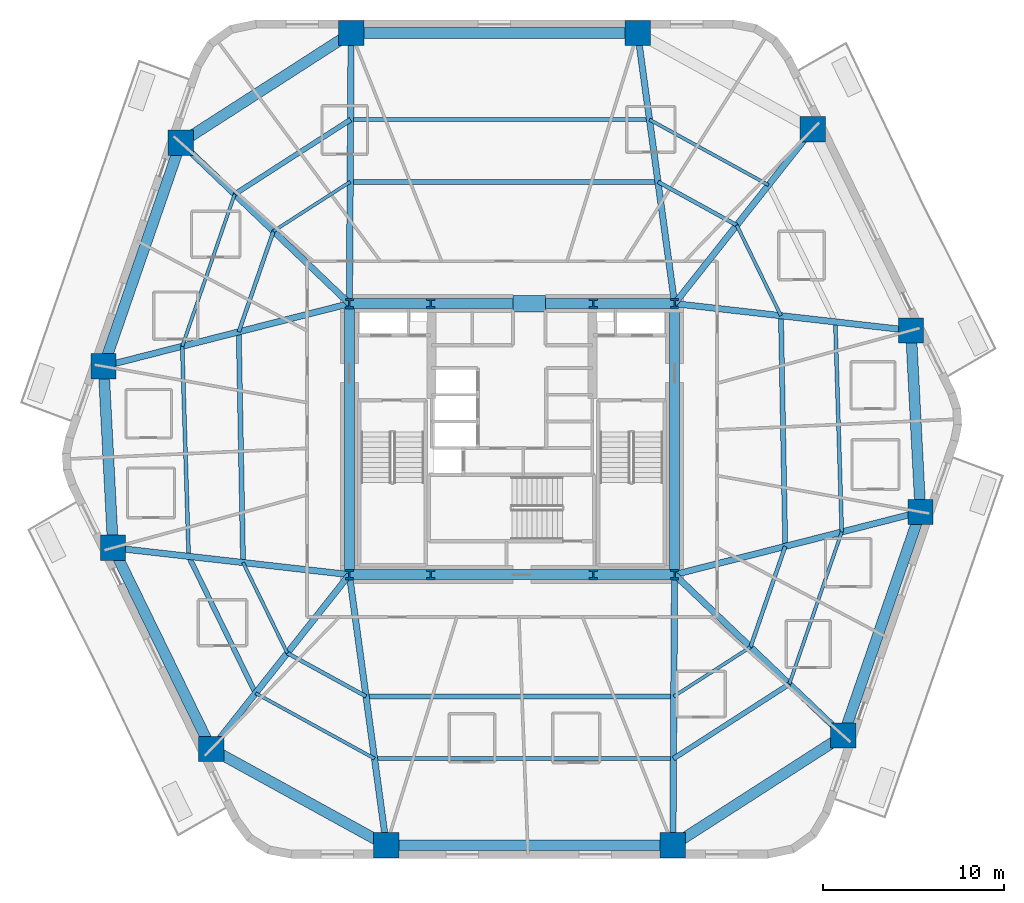
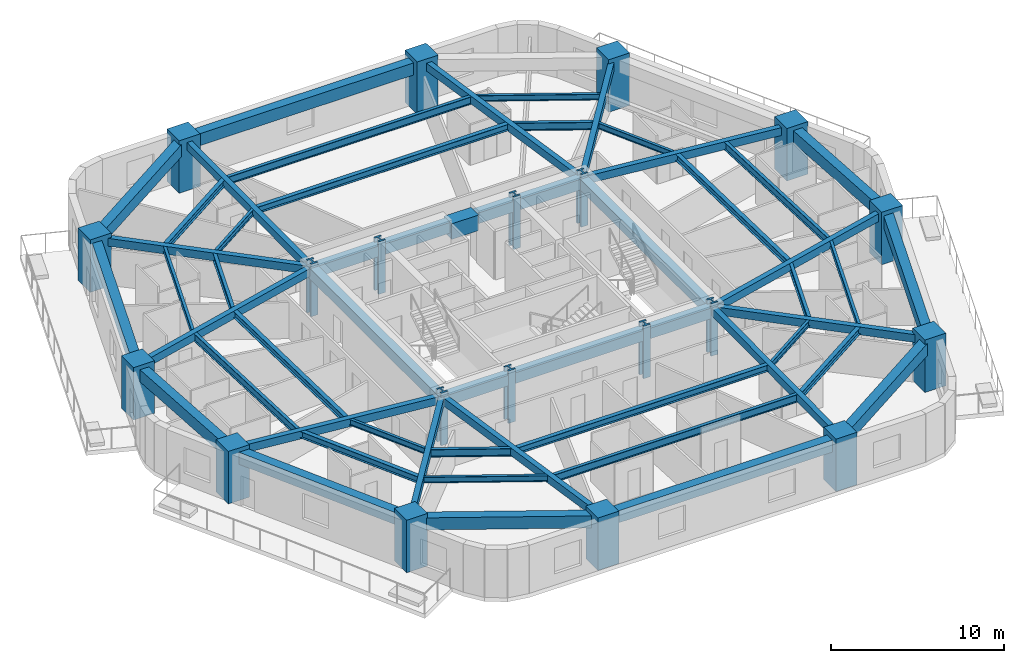
# One storey, part 1 of 10: 54 beams, 20 columns.
"""IFC4 building model written with IfcOpenShell, lengths in metres."""

from ifc_helpers import new_model, si_unit, direction, frame, origin, origin_2d, place, context, subcontext, project, spatial, rectangle, i_section, extrude, material, material_profile, profile_set, type_object, element, save


model = new_model("IFC4")

# Units and contexts
model_context = context("Model", 3, precision=1e-05, world=origin(), true_north=direction((0.0, 1.0)))
body_context = subcontext(model_context, "Body", "Model", "MODEL_VIEW")
ifc_project = project(units=[si_unit("LENGTHUNIT", "METRE"), si_unit("AREAUNIT", "SQUARE_METRE"), si_unit("VOLUMEUNIT", "CUBIC_METRE"), si_unit("PLANEANGLEUNIT", "RADIAN"), si_unit("MASSUNIT", "GRAM", prefix="KILO")], contexts=[model_context])

# Site, building, storey
site_placement = place(None, origin())
site = spatial("IfcSite", under=ifc_project, at=site_placement, CompositionType="ELEMENT")
building_placement = place(site_placement, origin())
building = spatial("IfcBuilding", under=site, at=building_placement, Name="Kilnhurst Terrace Hotel", CompositionType="ELEMENT")
storey_placement = place(building_placement, frame((0.0, 0.0, 52.699951171875)))
storey = spatial("IfcBuildingStorey", under=building, at=storey_placement, Name="L11", CompositionType="ELEMENT", Elevation=52.699951171875)

# Columns
ifc_material_1 = material(Name="Concrete C80/95", Category="concrete")
ifc_material_profile_1 = material_profile(ifc_material_1, rectangle(XDim=1.39990234375, YDim=1.39990234375, at=origin_2d()), Name="RC1400X1400")
ifc_profile_set_1 = profile_set([ifc_material_profile_1], Name="Concrete C80/95")
column_type_1 = type_object("IfcColumnType", Name="COL-RC-1400", PredefinedType="COLUMN", material=ifc_profile_set_1)
for number, where, z_axis, x_axis, name in (
    (1, (-6.955078125, -22.47998046875, 0.0), (0.0, 0.0, 1.0), (1.0, 0.0, 0.0), "L11 Structural Column PC-F11"),
    (2, (8.905029296875, -22.47998046875, 0.0), (0.0, 0.0, 1.0), (1.0, 0.0, 0.0), "L11 Structural Column PC-F12"),
    (3, (18.337890625, -16.410888671875, 0.0), (0.0, 0.0, 1.0), (1.0, 0.0, 0.0), "L11 Structural Column PC-F21"),
    (4, (22.60888671875, -4.029052734375, 0.0), (0.0, 0.0, 1.0), (1.0, 0.0, 0.0), "L11 Structural Column PC-F22"),
    (5, (22.083984375, 6.013916015625, 0.0), (0.0, 0.0, 1.0), (1.0, 0.0, 0.0), "L11 Structural Column PC-F31"),
    (6, (16.64306640625, 17.152099609375, 0.0), (0.0, 0.0, 1.0), (1.0, 0.0, 0.0), "L11 Structural Column PC-F32"),
    (7, (6.955078125, 22.47998046875, 0.0), (0.0, 0.0, 1.0), (1.0, 0.0, 0.0), "L11 Structural Column PC-F41"),
    (8, (-8.905029296875, 22.47998046875, 0.0), (0.0, 0.0, 1.0), (1.0, 0.0, 0.0), "L11 Structural Column PC-F42"),
    (9, (-18.337890625, 16.410888671875, 0.0), (0.0, 0.0, 1.0), (1.0, 0.0, 0.0), "L11 Structural Column PC-F51"),
    (10, (-22.60888671875, 4.029052734375, 0.0), (0.0, 0.0, 1.0), (1.0, 0.0, 0.0), "L11 Structural Column PC-F52"),
    (11, (-22.083984375, -6.013916015625, 0.0), (0.0, 0.0, 1.0), (1.0, 0.0, 0.0), "L11 Structural Column PC-F61"),
    (12, (-16.64306640625, -17.152099609375, 0.0), (0.0, 0.0, 1.0), (1.0, 0.0, 0.0), "L11 Structural Column PC-F62"),
):
    element("IfcColumn", number, at=place(storey_placement, frame(where, z_axis=z_axis, x_axis=x_axis)), inside=storey, type_object=column_type_1, Name=name, PredefinedType="COLUMN", context=body_context, shape_type="SweptSolid", body=[
        extrude(rectangle(XDim=1.39990234375, YDim=1.39990234375, at=origin_2d()), origin(), (0.0, 0.0, 1.0), 3.699951171875),
    ])
ifc_material_2 = material(Name="Steel ASTM A992 Grade 50", Category="steel")
ifc_material_profile_2 = material_profile(ifc_material_2, i_section(OverallWidth=0.454345703125, OverallDepth=0.569091796875, WebThickness=0.077880859375, FlangeThickness=0.124755859375, at=origin_2d()), Name="W14X730")
ifc_profile_set_2 = profile_set([ifc_material_profile_2], Name="Steel ASTM A992 Grade 50")
column_type_2 = type_object("IfcColumnType", Name="COL-STL-W14X730", PredefinedType="COLUMN", material=ifc_profile_set_2)
for number, where, z_axis, x_axis, name in (
    (13, (-9.0, -7.5, 0.0), (0.0, 0.0, 1.0), (1.0, 0.0, 0.0), "L11 Structural Column CC-SW"),
    (14, (-4.5, -7.5, 0.0), (0.0, 0.0, 1.0), (1.0, 0.0, 0.0), "L11 Structural Column CC-SC1"),
    (15, (4.5, -7.5, 0.0), (0.0, 0.0, 1.0), (1.0, 0.0, 0.0), "L11 Structural Column CC-SC2"),
    (16, (9.0, -7.5, 0.0), (0.0, 0.0, 1.0), (1.0, 0.0, 0.0), "L11 Structural Column CC-SE"),
    (17, (9.0, 7.5, 0.0), (0.0, 0.0, 1.0), (1.0, 0.0, 0.0), "L11 Structural Column CC-NE"),
    (18, (4.5, 7.5, 0.0), (0.0, 0.0, 1.0), (1.0, 0.0, 0.0), "L11 Structural Column CC-NC2"),
    (19, (-4.5, 7.5, 0.0), (0.0, 0.0, 1.0), (1.0, 0.0, 0.0), "L11 Structural Column CC-NC1"),
    (20, (-9.0, 7.5, 0.0), (0.0, 0.0, 1.0), (1.0, 0.0, 0.0), "L11 Structural Column CC-NW"),
):
    element("IfcColumn", number, at=place(storey_placement, frame(where, z_axis=z_axis, x_axis=x_axis)), inside=storey, type_object=column_type_2, Name=name, PredefinedType="COLUMN", context=body_context, shape_type="SweptSolid", body=[
        extrude(i_section(OverallWidth=0.454345703125, OverallDepth=0.569091796875, WebThickness=0.077880859375, FlangeThickness=0.124755859375, at=origin_2d()), origin(), (0.0, 0.0, 1.0), 3.699951171875),
    ])

# Beams
ifc_material_3 = material(Name="Concrete C50/60", Category="concrete")
ifc_material_profile_3 = material_profile(ifc_material_3, rectangle(XDim=0.35009765625, YDim=0.550048828125, at=origin_2d()), Name="RC350X550")
ifc_profile_set_3 = profile_set([ifc_material_profile_3], Name="Concrete C50/60")
beam_type_1 = type_object("IfcBeamType", Name="BM-RAD-350X550", PredefinedType="BEAM", material=ifc_profile_set_3)
beam_1_placement = place(storey_placement, frame((-9.0, -7.5, 3.125), z_axis=(0.13525588246, -0.990810701527, 0.0), x_axis=(0.990810701527, 0.13525588246, 0.0)))
element("IfcBeam", 21, at=beam_1_placement, inside=storey, type_object=beam_type_1, Name="L11 Radial Floor Beam 1", PredefinedType="BEAM", context=body_context, shape_type="SweptSolid", body=[
    extrude(rectangle(XDim=0.35009765625, YDim=0.550048828125, at=origin_2d()), origin(), (0.0, 0.0, 1.0), 15.118896484375),
])
beam_2_placement = place(storey_placement, frame((9.0, -7.5, 3.125), z_axis=(-0.006339714179, -0.99997990381, 0.0), x_axis=(0.99997990381, -0.006339714179, 0.0)))
element("IfcBeam", 22, at=beam_2_placement, inside=storey, type_object=beam_type_1, Name="L11 Radial Floor Beam 2", PredefinedType="BEAM", context=body_context, shape_type="SweptSolid", body=[
    extrude(rectangle(XDim=0.35009765625, YDim=0.550048828125, at=origin_2d()), origin(), (0.0, 0.0, 1.0), 14.980224609375),
])
beam_3_placement = place(storey_placement, frame((9.0, -7.5, 3.125), z_axis=(0.723454302813, -0.690372270403, 0.0), x_axis=(0.690372270403, 0.723454302813, 0.0)))
element("IfcBeam", 23, at=beam_3_placement, inside=storey, type_object=beam_type_1, Name="L11 Radial Floor Beam 3", PredefinedType="BEAM", context=body_context, shape_type="SweptSolid", body=[
    extrude(rectangle(XDim=0.35009765625, YDim=0.550048828125, at=origin_2d()), origin(), (0.0, 0.0, 1.0), 12.907470703125),
])
beam_4_placement = place(storey_placement, frame((9.0, -7.5, 3.125), z_axis=(0.968980179812, 0.247138445273, 0.0), x_axis=(-0.247138445273, 0.968980179812, 0.0)))
element("IfcBeam", 24, at=beam_4_placement, inside=storey, type_object=beam_type_1, Name="L11 Radial Floor Beam 4", PredefinedType="BEAM", context=body_context, shape_type="SweptSolid", body=[
    extrude(rectangle(XDim=0.35009765625, YDim=0.550048828125, at=origin_2d()), origin(), (0.0, 0.0, 1.0), 14.04443359375),
])
beam_5_placement = place(storey_placement, frame((9.0, 7.5, 3.125), z_axis=(0.993611493249, -0.112854776075, 0.0), x_axis=(0.112854776075, 0.993611493249, 0.0)))
element("IfcBeam", 25, at=beam_5_placement, inside=storey, type_object=beam_type_1, Name="L11 Radial Floor Beam 5", PredefinedType="BEAM", context=body_context, shape_type="SweptSolid", body=[
    extrude(rectangle(XDim=0.35009765625, YDim=0.550048828125, at=origin_2d()), origin(), (0.0, 0.0, 1.0), 13.168212890625),
])
beam_6_placement = place(storey_placement, frame((9.0, 7.5, 3.125), z_axis=(0.62079385707, 0.783973843329, 0.0), x_axis=(-0.783973843329, 0.62079385707, 0.0)))
element("IfcBeam", 26, at=beam_6_placement, inside=storey, type_object=beam_type_1, Name="L11 Radial Floor Beam 6", PredefinedType="BEAM", context=body_context, shape_type="SweptSolid", body=[
    extrude(rectangle(XDim=0.35009765625, YDim=0.550048828125, at=origin_2d()), origin(), (0.0, 0.0, 1.0), 12.311767578125),
])
beam_7_placement = place(storey_placement, frame((9.0, 7.5, 3.125), z_axis=(-0.13525588246, 0.990810701527, 0.0), x_axis=(-0.990810701527, -0.13525588246, 0.0)))
element("IfcBeam", 27, at=beam_7_placement, inside=storey, type_object=beam_type_1, Name="L11 Radial Floor Beam 7", PredefinedType="BEAM", context=body_context, shape_type="SweptSolid", body=[
    extrude(rectangle(XDim=0.35009765625, YDim=0.550048828125, at=origin_2d()), origin(), (0.0, 0.0, 1.0), 15.118896484375),
])
beam_8_placement = place(storey_placement, frame((-9.0, 7.5, 3.125), z_axis=(0.006339714179, 0.99997990381, 0.0), x_axis=(-0.99997990381, 0.006339714179, 0.0)))
element("IfcBeam", 28, at=beam_8_placement, inside=storey, type_object=beam_type_1, Name="L11 Radial Floor Beam 8", PredefinedType="BEAM", context=body_context, shape_type="SweptSolid", body=[
    extrude(rectangle(XDim=0.35009765625, YDim=0.550048828125, at=origin_2d()), origin(), (0.0, 0.0, 1.0), 14.980224609375),
])
beam_9_placement = place(storey_placement, frame((-9.0, 7.5, 3.125), z_axis=(-0.723454302813, 0.690372270403, 0.0), x_axis=(-0.690372270403, -0.723454302813, 0.0)))
element("IfcBeam", 29, at=beam_9_placement, inside=storey, type_object=beam_type_1, Name="L11 Radial Floor Beam 9", PredefinedType="BEAM", context=body_context, shape_type="SweptSolid", body=[
    extrude(rectangle(XDim=0.35009765625, YDim=0.550048828125, at=origin_2d()), origin(), (0.0, 0.0, 1.0), 12.907470703125),
])
beam_10_placement = place(storey_placement, frame((-9.0, 7.5, 3.125), z_axis=(-0.968980179812, -0.247138445273, 0.0), x_axis=(0.247138445273, -0.968980179812, 0.0)))
element("IfcBeam", 30, at=beam_10_placement, inside=storey, type_object=beam_type_1, Name="L11 Radial Floor Beam 10", PredefinedType="BEAM", context=body_context, shape_type="SweptSolid", body=[
    extrude(rectangle(XDim=0.35009765625, YDim=0.550048828125, at=origin_2d()), origin(), (0.0, 0.0, 1.0), 14.04443359375),
])
beam_11_placement = place(storey_placement, frame((-9.0, -7.5, 3.125), z_axis=(-0.993611493249, 0.112854776075, 0.0), x_axis=(-0.112854776075, -0.993611493249, 0.0)))
element("IfcBeam", 31, at=beam_11_placement, inside=storey, type_object=beam_type_1, Name="L11 Radial Floor Beam 11", PredefinedType="BEAM", context=body_context, shape_type="SweptSolid", body=[
    extrude(rectangle(XDim=0.35009765625, YDim=0.550048828125, at=origin_2d()), origin(), (0.0, 0.0, 1.0), 13.168212890625),
])
beam_12_placement = place(storey_placement, frame((-9.0, -7.5, 3.125), z_axis=(-0.62079385707, -0.783973843329, 0.0), x_axis=(0.783973843329, -0.62079385707, 0.0)))
element("IfcBeam", 32, at=beam_12_placement, inside=storey, type_object=beam_type_1, Name="L11 Radial Floor Beam 12", PredefinedType="BEAM", context=body_context, shape_type="SweptSolid", body=[
    extrude(rectangle(XDim=0.35009765625, YDim=0.550048828125, at=origin_2d()), origin(), (0.0, 0.0, 1.0), 12.311767578125),
])
ifc_material_profile_4 = material_profile(ifc_material_3, rectangle(XDim=0.550048828125, YDim=0.75, at=origin_2d()), Name="RC550X750")
ifc_profile_set_4 = profile_set([ifc_material_profile_4], Name="Concrete C50/60")
beam_type_2 = type_object("IfcBeamType", Name="BM-SPN-550X750", PredefinedType="SPANDREL", material=ifc_profile_set_4)
beam_13_placement = place(storey_placement, frame((-9.0, 7.5, 3.025146484375), z_axis=(1.0, 0.0, 0.0), x_axis=(0.0, 1.0, 0.0)))
element("IfcBeam", 33, at=beam_13_placement, inside=storey, type_object=beam_type_2, Name="L11 Core Tie Beam CC-NW to CC-NC1", PredefinedType="SPANDREL", context=body_context, shape_type="SweptSolid", body=[
    extrude(rectangle(XDim=0.550048828125, YDim=0.75, at=origin_2d()), origin(), (0.0, 0.0, 1.0), 4.5),
])
beam_14_placement = place(storey_placement, frame((-4.5, 7.5, 3.025146484375), z_axis=(1.0, 0.0, 0.0), x_axis=(0.0, 1.0, 0.0)))
element("IfcBeam", 34, at=beam_14_placement, inside=storey, type_object=beam_type_2, Name="L11 Core Tie Beam CC-NC1 to CC-NC2", PredefinedType="SPANDREL", context=body_context, shape_type="SweptSolid", body=[
    extrude(rectangle(XDim=0.550048828125, YDim=0.75, at=origin_2d()), origin(), (0.0, 0.0, 1.0), 9.0),
])
for number, where, z_axis, x_axis, name in (
    (35, (4.5, 7.5, 3.025146484375), (1.0, 0.0, 0.0), (0.0, 1.0, 0.0), "L11 Core Tie Beam CC-NC2 to CC-NE"),
    (36, (-9.0, -7.5, 3.025146484375), (1.0, 0.0, 0.0), (0.0, 1.0, 0.0), "L11 Core Tie Beam CC-SW to CC-SC1"),
):
    element("IfcBeam", number, at=place(storey_placement, frame(where, z_axis=z_axis, x_axis=x_axis)), inside=storey, type_object=beam_type_2, Name=name, PredefinedType="SPANDREL", context=body_context, shape_type="SweptSolid", body=[
        extrude(rectangle(XDim=0.550048828125, YDim=0.75, at=origin_2d()), origin(), (0.0, 0.0, 1.0), 4.5),
    ])
beam_15_placement = place(storey_placement, frame((-4.5, -7.5, 3.025146484375), z_axis=(1.0, 0.0, 0.0), x_axis=(0.0, 1.0, 0.0)))
element("IfcBeam", 37, at=beam_15_placement, inside=storey, type_object=beam_type_2, Name="L11 Core Tie Beam CC-SC1 to CC-SC2", PredefinedType="SPANDREL", context=body_context, shape_type="SweptSolid", body=[
    extrude(rectangle(XDim=0.550048828125, YDim=0.75, at=origin_2d()), origin(), (0.0, 0.0, 1.0), 9.0),
])
beam_16_placement = place(storey_placement, frame((4.5, -7.5, 3.025146484375), z_axis=(1.0, 0.0, 0.0), x_axis=(0.0, 1.0, 0.0)))
element("IfcBeam", 38, at=beam_16_placement, inside=storey, type_object=beam_type_2, Name="L11 Core Tie Beam CC-SC2 to CC-SE", PredefinedType="SPANDREL", context=body_context, shape_type="SweptSolid", body=[
    extrude(rectangle(XDim=0.550048828125, YDim=0.75, at=origin_2d()), origin(), (0.0, 0.0, 1.0), 4.5),
])
for number, where, z_axis, x_axis, name in (
    (39, (-9.0, -7.5, 3.025146484375), (0.0, 1.0, 0.0), (-1.0, 0.0, 0.0), "L11 Core Tie Beam CC-SW to CC-NW"),
    (40, (9.0, -7.5, 3.025146484375), (0.0, 1.0, 0.0), (-1.0, 0.0, 0.0), "L11 Core Tie Beam CC-SE to CC-NE"),
):
    element("IfcBeam", number, at=place(storey_placement, frame(where, z_axis=z_axis, x_axis=x_axis)), inside=storey, type_object=beam_type_2, Name=name, PredefinedType="SPANDREL", context=body_context, shape_type="SweptSolid", body=[
        extrude(rectangle(XDim=0.550048828125, YDim=0.75, at=origin_2d()), origin(), (0.0, 0.0, 1.0), 15.0),
    ])
ifc_material_profile_5 = material_profile(ifc_material_3, rectangle(XDim=0.60009765625, YDim=0.85009765625, at=origin_2d()), Name="RC600X850")
ifc_profile_set_5 = profile_set([ifc_material_profile_5], Name="Concrete C50/60")
beam_type_3 = type_object("IfcBeamType", Name="BM-SPN-600X850", PredefinedType="SPANDREL", material=ifc_profile_set_5)
beam_17_placement = place(storey_placement, frame((-6.955078125, -22.47998046875, 2.97509765625), z_axis=(1.0, 0.0, 0.0), x_axis=(0.0, 1.0, 0.0)))
element("IfcBeam", 41, at=beam_17_placement, inside=storey, type_object=beam_type_3, Name="L11 Perimeter Spandrel Beam 1", PredefinedType="SPANDREL", context=body_context, shape_type="SweptSolid", body=[
    extrude(rectangle(XDim=0.60009765625, YDim=0.85009765625, at=origin_2d()), origin(), (0.0, 0.0, 1.0), 15.860107421875),
])
beam_18_placement = place(storey_placement, frame((8.905029296875, -22.47998046875, 2.97509765625), z_axis=(0.840971204873, 0.541079876335, 0.0), x_axis=(-0.541079876335, 0.840971204873, 0.0)))
element("IfcBeam", 42, at=beam_18_placement, inside=storey, type_object=beam_type_3, Name="L11 Perimeter Spandrel Beam 2", PredefinedType="SPANDREL", context=body_context, shape_type="SweptSolid", body=[
    extrude(rectangle(XDim=0.60009765625, YDim=0.85009765625, at=origin_2d()), origin(), (0.0, 0.0, 1.0), 11.216552734375),
])
beam_19_placement = place(storey_placement, frame((18.337890625, -16.410888671875, 2.97509765625), z_axis=(0.326086040191, 0.945340094565, 0.0), x_axis=(-0.945340094565, 0.326086040191, 0.0)))
element("IfcBeam", 43, at=beam_19_placement, inside=storey, type_object=beam_type_3, Name="L11 Perimeter Spandrel Beam 3", PredefinedType="SPANDREL", context=body_context, shape_type="SweptSolid", body=[
    extrude(rectangle(XDim=0.60009765625, YDim=0.85009765625, at=origin_2d()), origin(), (0.0, 0.0, 1.0), 13.09765625),
])
beam_20_placement = place(storey_placement, frame((22.60888671875, -4.029052734375, 2.97509765625), z_axis=(-0.052194414298, 0.998636942595, 0.0), x_axis=(-0.998636942595, -0.052194414298, 0.0)))
element("IfcBeam", 44, at=beam_20_placement, inside=storey, type_object=beam_type_3, Name="L11 Perimeter Spandrel Beam 4", PredefinedType="SPANDREL", context=body_context, shape_type="SweptSolid", body=[
    extrude(rectangle(XDim=0.60009765625, YDim=0.85009765625, at=origin_2d()), origin(), (0.0, 0.0, 1.0), 10.056640625),
])
beam_21_placement = place(storey_placement, frame((6.955078125, 22.47998046875, 2.97509765625), z_axis=(-1.0, 0.0, 0.0), x_axis=(0.0, -1.0, 0.0)))
element("IfcBeam", 45, at=beam_21_placement, inside=storey, type_object=beam_type_3, Name="L11 Perimeter Spandrel Beam 7", PredefinedType="SPANDREL", context=body_context, shape_type="SweptSolid", body=[
    extrude(rectangle(XDim=0.60009765625, YDim=0.85009765625, at=origin_2d()), origin(), (0.0, 0.0, 1.0), 15.860107421875),
])
beam_22_placement = place(storey_placement, frame((-8.905029296875, 22.47998046875, 2.97509765625), z_axis=(-0.840971204873, -0.541079876335, 0.0), x_axis=(0.541079876335, -0.840971204873, 0.0)))
element("IfcBeam", 46, at=beam_22_placement, inside=storey, type_object=beam_type_3, Name="L11 Perimeter Spandrel Beam 8", PredefinedType="SPANDREL", context=body_context, shape_type="SweptSolid", body=[
    extrude(rectangle(XDim=0.60009765625, YDim=0.85009765625, at=origin_2d()), origin(), (0.0, 0.0, 1.0), 11.216552734375),
])
beam_23_placement = place(storey_placement, frame((-18.337890625, 16.410888671875, 2.97509765625), z_axis=(-0.326086040191, -0.945340094565, 0.0), x_axis=(0.945340094565, -0.326086040191, 0.0)))
element("IfcBeam", 47, at=beam_23_placement, inside=storey, type_object=beam_type_3, Name="L11 Perimeter Spandrel Beam 9", PredefinedType="SPANDREL", context=body_context, shape_type="SweptSolid", body=[
    extrude(rectangle(XDim=0.60009765625, YDim=0.85009765625, at=origin_2d()), origin(), (0.0, 0.0, 1.0), 13.09765625),
])
beam_24_placement = place(storey_placement, frame((-22.60888671875, 4.029052734375, 2.97509765625), z_axis=(0.052194414298, -0.998636942595, 0.0), x_axis=(0.998636942595, 0.052194414298, 0.0)))
element("IfcBeam", 48, at=beam_24_placement, inside=storey, type_object=beam_type_3, Name="L11 Perimeter Spandrel Beam 10", PredefinedType="SPANDREL", context=body_context, shape_type="SweptSolid", body=[
    extrude(rectangle(XDim=0.60009765625, YDim=0.85009765625, at=origin_2d()), origin(), (0.0, 0.0, 1.0), 10.056640625),
])
beam_25_placement = place(storey_placement, frame((-22.083984375, -6.013916015625, 2.97509765625), z_axis=(0.438922573627, -0.898524888003, 0.0), x_axis=(0.898524888003, 0.438922573627, 0.0)))
element("IfcBeam", 49, at=beam_25_placement, inside=storey, type_object=beam_type_3, Name="L11 Perimeter Spandrel Beam 11", PredefinedType="SPANDREL", context=body_context, shape_type="SweptSolid", body=[
    extrude(rectangle(XDim=0.60009765625, YDim=0.85009765625, at=origin_2d()), origin(), (0.0, 0.0, 1.0), 12.39599609375),
])
beam_26_placement = place(storey_placement, frame((-16.64306640625, -17.152099609375, 2.97509765625), z_axis=(0.876235488803, -0.481883147829, 0.0), x_axis=(0.481883147829, 0.876235488803, 0.0)))
element("IfcBeam", 50, at=beam_26_placement, inside=storey, type_object=beam_type_3, Name="L11 Perimeter Spandrel Beam 12", PredefinedType="SPANDREL", context=body_context, shape_type="SweptSolid", body=[
    extrude(rectangle(XDim=0.60009765625, YDim=0.85009765625, at=origin_2d()), origin(), (0.0, 0.0, 1.0), 11.056396484375),
])
ifc_material_profile_6 = material_profile(ifc_material_2, i_section(OverallWidth=0.180908203125, OverallDepth=0.417236328125, WebThickness=0.010986328125, FlangeThickness=0.018310546875, at=origin_2d()), Name="W16X57")
ifc_profile_set_6 = profile_set([ifc_material_profile_6], Name="Steel ASTM A992 Grade 50")
beam_type_4 = type_object("IfcBeamType", Name="JST-STL-W16X57", PredefinedType="JOIST", material=ifc_profile_set_6)
beam_27_placement = place(storey_placement, frame((15.349853515625, -13.5595703125, 3.191162109375), z_axis=(0.326078536201, 0.945342682961, 0.0), x_axis=(-0.945342682961, 0.326078536201, 0.0)))
element("IfcBeam", 51, at=beam_27_placement, inside=storey, type_object=beam_type_4, Name="L11 Secondary Floor Steel Joist OUT.3", PredefinedType="JOIST", context=body_context, shape_type="SweptSolid", body=[
    extrude(i_section(OverallWidth=0.180908203125, OverallDepth=0.417236328125, WebThickness=0.010986328125, FlangeThickness=0.018310546875, at=origin_2d()), origin(), (0.0, 0.0, 1.0), 8.90673828125),
])
beam_28_placement = place(storey_placement, frame((14.197265625, 14.0634765625, 3.191162109375), z_axis=(-0.876246073632, 0.481863900334, 0.0), x_axis=(-0.481863900334, -0.876246073632, 0.0)))
element("IfcBeam", 52, at=beam_28_placement, inside=storey, type_object=beam_type_4, Name="L11 Secondary Floor Steel Joist OUT.6", PredefinedType="JOIST", context=body_context, shape_type="SweptSolid", body=[
    extrude(i_section(OverallWidth=0.180908203125, OverallDepth=0.417236328125, WebThickness=0.010986328125, FlangeThickness=0.018310546875, at=origin_2d()), origin(), (0.0, 0.0, 1.0), 7.518310546875),
])
beam_29_placement = place(storey_placement, frame((-15.349853515625, 13.5595703125, 3.191162109375), z_axis=(-0.326078536201, -0.945342682961, 0.0), x_axis=(0.945342682961, -0.326078536201, 0.0)))
element("IfcBeam", 53, at=beam_29_placement, inside=storey, type_object=beam_type_4, Name="L11 Secondary Floor Steel Joist OUT.9", PredefinedType="JOIST", context=body_context, shape_type="SweptSolid", body=[
    extrude(i_section(OverallWidth=0.180908203125, OverallDepth=0.417236328125, WebThickness=0.010986328125, FlangeThickness=0.018310546875, at=origin_2d()), origin(), (0.0, 0.0, 1.0), 8.90673828125),
])
beam_30_placement = place(storey_placement, frame((-14.197265625, -14.0634765625, 3.191162109375), z_axis=(0.876246073632, -0.481863900334, 0.0), x_axis=(0.481863900334, 0.876246073632, 0.0)))
element("IfcBeam", 54, at=beam_30_placement, inside=storey, type_object=beam_type_4, Name="L11 Secondary Floor Steel Joist OUT.12", PredefinedType="JOIST", context=body_context, shape_type="SweptSolid", body=[
    extrude(i_section(OverallWidth=0.180908203125, OverallDepth=0.417236328125, WebThickness=0.010986328125, FlangeThickness=0.018310546875, at=origin_2d()), origin(), (0.0, 0.0, 1.0), 7.518310546875),
])
beam_31_placement = place(storey_placement, frame((8.957275390625, -14.240966796875, 3.191162109375), z_axis=(0.840988265896, 0.541053358389, 0.0), x_axis=(-0.541053358389, 0.840988265896, 0.0)))
element("IfcBeam", 55, at=beam_31_placement, inside=storey, type_object=beam_type_4, Name="L11 Secondary Floor Steel Joist IN.2", PredefinedType="JOIST", context=body_context, shape_type="SweptSolid", body=[
    extrude(i_section(OverallWidth=0.180908203125, OverallDepth=0.417236328125, WebThickness=0.010986328125, FlangeThickness=0.018310546875, at=origin_2d()), origin(), (0.0, 0.0, 1.0), 5.04736328125),
])
beam_32_placement = place(storey_placement, frame((14.8876953125, 6.831298828125, 3.191162109375), z_axis=(-0.438896112695, 0.898537813484, 0.0), x_axis=(-0.898537813484, -0.438896112695, 0.0)))
element("IfcBeam", 56, at=beam_32_placement, inside=storey, type_object=beam_type_4, Name="L11 Secondary Floor Steel Joist IN.5", PredefinedType="JOIST", context=body_context, shape_type="SweptSolid", body=[
    extrude(i_section(OverallWidth=0.180908203125, OverallDepth=0.417236328125, WebThickness=0.010986328125, FlangeThickness=0.018310546875, at=origin_2d()), origin(), (0.0, 0.0, 1.0), 5.578125),
])
beam_33_placement = place(storey_placement, frame((-8.957275390625, 14.240966796875, 3.191162109375), z_axis=(-0.840988265896, -0.541053358389, 0.0), x_axis=(0.541053358389, -0.840988265896, 0.0)))
element("IfcBeam", 57, at=beam_33_placement, inside=storey, type_object=beam_type_4, Name="L11 Secondary Floor Steel Joist IN.8", PredefinedType="JOIST", context=body_context, shape_type="SweptSolid", body=[
    extrude(i_section(OverallWidth=0.180908203125, OverallDepth=0.417236328125, WebThickness=0.010986328125, FlangeThickness=0.018310546875, at=origin_2d()), origin(), (0.0, 0.0, 1.0), 5.04736328125),
])
beam_34_placement = place(storey_placement, frame((-14.8876953125, -6.831298828125, 3.191162109375), z_axis=(0.438896112695, -0.898537813484, 0.0), x_axis=(0.898537813484, 0.438896112695, 0.0)))
element("IfcBeam", 58, at=beam_34_placement, inside=storey, type_object=beam_type_4, Name="L11 Secondary Floor Steel Joist IN.11", PredefinedType="JOIST", context=body_context, shape_type="SweptSolid", body=[
    extrude(i_section(OverallWidth=0.180908203125, OverallDepth=0.417236328125, WebThickness=0.010986328125, FlangeThickness=0.018310546875, at=origin_2d()), origin(), (0.0, 0.0, 1.0), 5.578125),
])
ifc_material_profile_7 = material_profile(ifc_material_2, i_section(OverallWidth=0.279296875, OverallDepth=0.462890625, WebThickness=0.0107421875, FlangeThickness=0.017333984375, at=origin_2d()), Name="W18X76")
ifc_profile_set_7 = profile_set([ifc_material_profile_7], Name="Steel ASTM A992 Grade 50")
beam_type_5 = type_object("IfcBeamType", Name="JST-STL-W18X76", PredefinedType="JOIST", material=ifc_profile_set_7)
for number, where, z_axis, x_axis, name in (
    (59, (8.935302734375, -17.686279296875, 3.16796875), (0.840995388529, 0.54104228714, 0.0), (-0.54104228714, 0.840995388529, 0.0), "L11 Secondary Floor Steel Joist OUT.2"),
    (60, (-8.935302734375, 17.686279296875, 3.16796875), (-0.840995388529, -0.54104228714, 0.0), (0.54104228714, -0.840995388529, 0.0), "L11 Secondary Floor Steel Joist OUT.8"),
):
    element("IfcBeam", number, at=place(storey_placement, frame(where, z_axis=z_axis, x_axis=x_axis)), inside=storey, type_object=beam_type_5, Name=name, PredefinedType="JOIST", context=body_context, shape_type="SweptSolid", body=[
        extrude(i_section(OverallWidth=0.279296875, OverallDepth=0.462890625, WebThickness=0.0107421875, FlangeThickness=0.017333984375, at=origin_2d()), origin(), (0.0, 0.0, 1.0), 7.62744140625),
    ])
beam_35_placement = place(storey_placement, frame((-17.897216796875, -6.489501953125, 3.16796875), z_axis=(0.438934275949, -0.898519171413, 0.0), x_axis=(0.898519171413, 0.438934275949, 0.0)))
element("IfcBeam", 61, at=beam_35_placement, inside=storey, type_object=beam_type_5, Name="L11 Secondary Floor Steel Joist OUT.11", PredefinedType="JOIST", context=body_context, shape_type="SweptSolid", body=[
    extrude(i_section(OverallWidth=0.279296875, OverallDepth=0.462890625, WebThickness=0.0107421875, FlangeThickness=0.017333984375, at=origin_2d()), origin(), (0.0, 0.0, 1.0), 8.429443359375),
])
beam_36_placement = place(storey_placement, frame((-8.079833984375, -14.240966796875, 3.16796875), z_axis=(1.0, 0.0, 0.0), x_axis=(0.0, 1.0, 0.0)))
element("IfcBeam", 62, at=beam_36_placement, inside=storey, type_object=beam_type_5, Name="L11 Secondary Floor Steel Joist IN.1", PredefinedType="JOIST", context=body_context, shape_type="SweptSolid", body=[
    extrude(i_section(OverallWidth=0.279296875, OverallDepth=0.462890625, WebThickness=0.0107421875, FlangeThickness=0.017333984375, at=origin_2d()), origin(), (0.0, 0.0, 1.0), 17.037109375),
])
beam_37_placement = place(storey_placement, frame((15.1240234375, -5.93798828125, 3.16796875), z_axis=(-0.018504373716, 0.999828779418, 0.0), x_axis=(-0.999828779418, -0.018504373716, 0.0)))
element("IfcBeam", 63, at=beam_37_placement, inside=storey, type_object=beam_type_5, Name="L11 Secondary Floor Steel Joist IN.4", PredefinedType="JOIST", context=body_context, shape_type="SweptSolid", body=[
    extrude(i_section(OverallWidth=0.279296875, OverallDepth=0.462890625, WebThickness=0.0107421875, FlangeThickness=0.017333984375, at=origin_2d()), origin(), (0.0, 0.0, 1.0), 12.771484375),
])
beam_38_placement = place(storey_placement, frame((8.079833984375, 14.240966796875, 3.16796875), z_axis=(-1.0, 0.0, 0.0), x_axis=(0.0, -1.0, 0.0)))
element("IfcBeam", 64, at=beam_38_placement, inside=storey, type_object=beam_type_5, Name="L11 Secondary Floor Steel Joist IN.7", PredefinedType="JOIST", context=body_context, shape_type="SweptSolid", body=[
    extrude(i_section(OverallWidth=0.279296875, OverallDepth=0.462890625, WebThickness=0.0107421875, FlangeThickness=0.017333984375, at=origin_2d()), origin(), (0.0, 0.0, 1.0), 17.037109375),
])
beam_39_placement = place(storey_placement, frame((-15.1240234375, 5.93798828125, 3.16796875), z_axis=(0.018504373716, -0.999828779418, 0.0), x_axis=(0.999828779418, 0.018504373716, 0.0)))
element("IfcBeam", 65, at=beam_39_placement, inside=storey, type_object=beam_type_5, Name="L11 Secondary Floor Steel Joist IN.10", PredefinedType="JOIST", context=body_context, shape_type="SweptSolid", body=[
    extrude(i_section(OverallWidth=0.279296875, OverallDepth=0.462890625, WebThickness=0.0107421875, FlangeThickness=0.017333984375, at=origin_2d()), origin(), (0.0, 0.0, 1.0), 12.771484375),
])
ifc_material_profile_8 = material_profile(ifc_material_2, i_section(OverallWidth=0.2138671875, OverallDepth=0.549072265625, WebThickness=0.0146484375, FlangeThickness=0.023681640625, at=origin_2d()), Name="W21X93")
ifc_profile_set_8 = profile_set([ifc_material_profile_8], Name="Steel ASTM A992 Grade 50")
beam_type_6 = type_object("IfcBeamType", Name="JST-STL-W21X93", PredefinedType="JOIST", material=ifc_profile_set_8)
beam_40_placement = place(storey_placement, frame((-7.609375, -17.686279296875, 3.125), z_axis=(1.0, 0.0, 0.0), x_axis=(0.0, 1.0, 0.0)))
element("IfcBeam", 66, at=beam_40_placement, inside=storey, type_object=beam_type_6, Name="L11 Secondary Floor Steel Joist OUT.1", PredefinedType="JOIST", context=body_context, shape_type="SweptSolid", body=[
    extrude(i_section(OverallWidth=0.2138671875, OverallDepth=0.549072265625, WebThickness=0.0146484375, FlangeThickness=0.023681640625, at=origin_2d()), origin(), (0.0, 0.0, 1.0), 16.544677734375),
])
beam_41_placement = place(storey_placement, frame((18.254150390625, -5.1396484375, 3.125), z_axis=(-0.030678559818, 0.999529302206, 0.0), x_axis=(-0.999529302206, -0.030678559818, 0.0)))
element("IfcBeam", 67, at=beam_41_placement, inside=storey, type_object=beam_type_6, Name="L11 Secondary Floor Steel Joist OUT.4", PredefinedType="JOIST", context=body_context, shape_type="SweptSolid", body=[
    extrude(i_section(OverallWidth=0.2138671875, OverallDepth=0.549072265625, WebThickness=0.0146484375, FlangeThickness=0.023681640625, at=origin_2d()), origin(), (0.0, 0.0, 1.0), 11.634521484375),
])
beam_42_placement = place(storey_placement, frame((7.609375, 17.686279296875, 3.125), z_axis=(-1.0, 0.0, 0.0), x_axis=(0.0, -1.0, 0.0)))
element("IfcBeam", 68, at=beam_42_placement, inside=storey, type_object=beam_type_6, Name="L11 Secondary Floor Steel Joist OUT.7", PredefinedType="JOIST", context=body_context, shape_type="SweptSolid", body=[
    extrude(i_section(OverallWidth=0.2138671875, OverallDepth=0.549072265625, WebThickness=0.0146484375, FlangeThickness=0.023681640625, at=origin_2d()), origin(), (0.0, 0.0, 1.0), 16.544677734375),
])
beam_43_placement = place(storey_placement, frame((-18.254150390625, 5.1396484375, 3.125), z_axis=(0.030678559818, -0.999529302206, 0.0), x_axis=(0.999529302206, 0.030678559818, 0.0)))
element("IfcBeam", 69, at=beam_43_placement, inside=storey, type_object=beam_type_6, Name="L11 Secondary Floor Steel Joist OUT.10", PredefinedType="JOIST", context=body_context, shape_type="SweptSolid", body=[
    extrude(i_section(OverallWidth=0.2138671875, OverallDepth=0.549072265625, WebThickness=0.0146484375, FlangeThickness=0.023681640625, at=origin_2d()), origin(), (0.0, 0.0, 1.0), 11.634521484375),
])
beam_44_placement = place(storey_placement, frame((13.2021484375, -11.510009765625, 3.125), z_axis=(0.326064720391, 0.945347448358, 0.0), x_axis=(-0.945347448358, 0.326064720391, 0.0)))
element("IfcBeam", 70, at=beam_44_placement, inside=storey, type_object=beam_type_6, Name="L11 Secondary Floor Steel Joist IN.3", PredefinedType="JOIST", context=body_context, shape_type="SweptSolid", body=[
    extrude(i_section(OverallWidth=0.2138671875, OverallDepth=0.549072265625, WebThickness=0.0146484375, FlangeThickness=0.023681640625, at=origin_2d()), origin(), (0.0, 0.0, 1.0), 5.89404296875),
])
beam_45_placement = place(storey_placement, frame((12.439453125, 11.843505859375, 3.125), z_axis=(-0.876243879955, 0.481867889408, 0.0), x_axis=(-0.481867889408, -0.876243879955, 0.0)))
element("IfcBeam", 71, at=beam_45_placement, inside=storey, type_object=beam_type_6, Name="L11 Secondary Floor Steel Joist IN.6", PredefinedType="JOIST", context=body_context, shape_type="SweptSolid", body=[
    extrude(i_section(OverallWidth=0.2138671875, OverallDepth=0.549072265625, WebThickness=0.0146484375, FlangeThickness=0.023681640625, at=origin_2d()), origin(), (0.0, 0.0, 1.0), 4.975341796875),
])
beam_46_placement = place(storey_placement, frame((-13.2021484375, 11.510009765625, 3.125), z_axis=(-0.326064720391, -0.945347448358, 0.0), x_axis=(0.945347448358, -0.326064720391, 0.0)))
element("IfcBeam", 72, at=beam_46_placement, inside=storey, type_object=beam_type_6, Name="L11 Secondary Floor Steel Joist IN.9", PredefinedType="JOIST", context=body_context, shape_type="SweptSolid", body=[
    extrude(i_section(OverallWidth=0.2138671875, OverallDepth=0.549072265625, WebThickness=0.0146484375, FlangeThickness=0.023681640625, at=origin_2d()), origin(), (0.0, 0.0, 1.0), 5.89404296875),
])
beam_47_placement = place(storey_placement, frame((-12.439453125, -11.843505859375, 3.125), z_axis=(0.876243879955, -0.481867889408, 0.0), x_axis=(0.481867889408, 0.876243879955, 0.0)))
element("IfcBeam", 73, at=beam_47_placement, inside=storey, type_object=beam_type_6, Name="L11 Secondary Floor Steel Joist IN.12", PredefinedType="JOIST", context=body_context, shape_type="SweptSolid", body=[
    extrude(i_section(OverallWidth=0.2138671875, OverallDepth=0.549072265625, WebThickness=0.0146484375, FlangeThickness=0.023681640625, at=origin_2d()), origin(), (0.0, 0.0, 1.0), 4.975341796875),
])
ifc_material_profile_9 = material_profile(ifc_material_1, rectangle(XDim=0.89990234375, YDim=1.10009765625, at=origin_2d()), Name="RC900X1100")
ifc_profile_set_9 = profile_set([ifc_material_profile_9], Name="Concrete C80/95")
beam_type_7 = type_object("IfcBeamType", Name="LNT-CB-900X1100", PredefinedType="LINTEL", material=ifc_profile_set_9)
beam_48_placement = place(storey_placement, frame((0.050048828125, 7.5, 2.85009765625), z_axis=(1.0, 0.0, 0.0), x_axis=(0.0, 1.0, 0.0)))
element("IfcBeam", 74, at=beam_48_placement, inside=storey, type_object=beam_type_7, Name="L11 North Core Coupling Link Beam", PredefinedType="LINTEL", context=body_context, shape_type="SweptSolid", body=[
    extrude(rectangle(XDim=0.89990234375, YDim=1.10009765625, at=origin_2d()), origin(), (0.0, 0.0, 1.0), 1.800048828125),
])

save(model, "model.ifc")
